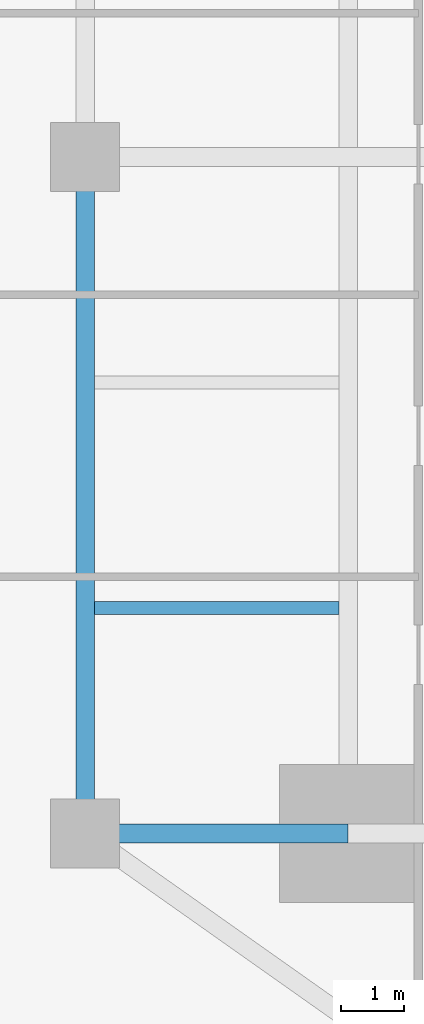
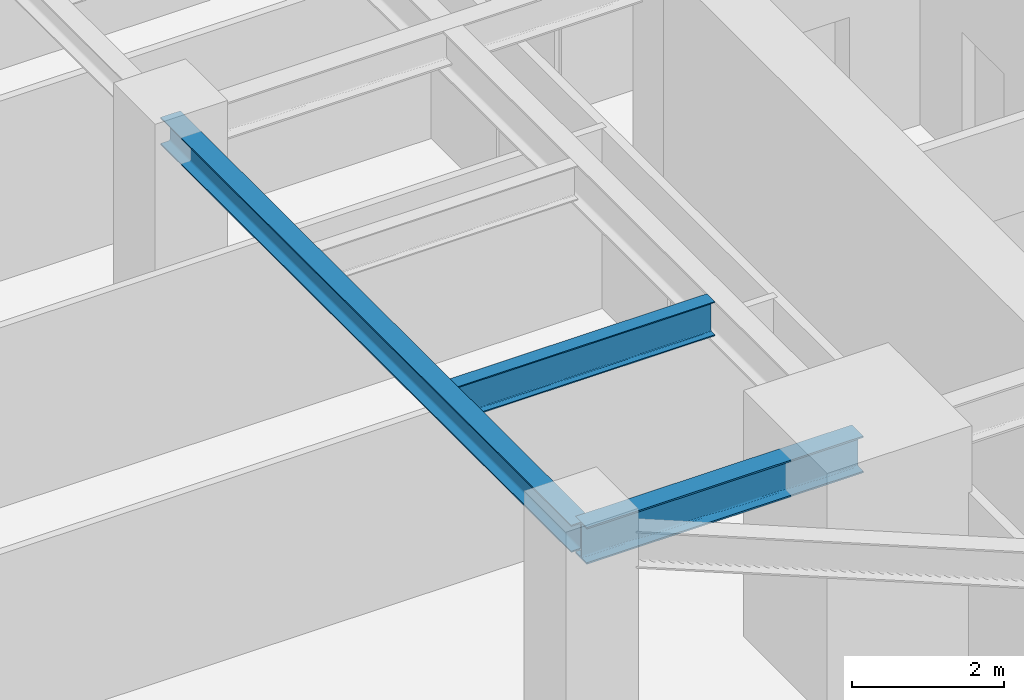
# One storey, part 7 of 29: 3 beams.
"""IFC4 building model written with IfcOpenShell, lengths in metres."""

from ifc_helpers import new_model, si_unit, direction, frame, origin, origin_2d, place, context, subcontext, project, spatial, i_section, extrude, source, transform, mapped, material, material_profile, profile_set, type_object, type_shapes, element, save


model = new_model("IFC4")

# Units and contexts
model_context = context("Model", 3, precision=1e-05, world=origin(), true_north=direction((0.0, 1.0)))
body_context = subcontext(model_context, "Body", "Model", "MODEL_VIEW")
ifc_project = project(units=[si_unit("LENGTHUNIT", "METRE"), si_unit("AREAUNIT", "SQUARE_METRE"), si_unit("VOLUMEUNIT", "CUBIC_METRE"), si_unit("PLANEANGLEUNIT", "RADIAN"), si_unit("MASSUNIT", "GRAM", prefix="KILO")], contexts=[model_context])

# Site, building, storey
site_placement = place(None, origin())
site = spatial("IfcSite", under=ifc_project, at=site_placement, CompositionType="ELEMENT")
building_placement = place(site_placement, origin())
building = spatial("IfcBuilding", under=site, at=building_placement, Name="Krantzveldt Concourse Tower", CompositionType="ELEMENT")
storey_placement = place(building_placement, frame((0.0, 0.0, 76.35009765625)))
storey = spatial("IfcBuildingStorey", under=building, at=storey_placement, Name="L18", CompositionType="ELEMENT", Elevation=76.35009765625)

# Beams
ifc_material = material(Name="Steel S355JR", Category="steel")
ifc_material_profile_1 = material_profile(ifc_material, i_section(OverallWidth=0.300048828125, OverallDepth=0.43994140625, WebThickness=0.011474609375, FlangeThickness=0.02099609375, FilletRadius=0.027099609375, at=origin_2d()), Name="Steel S355JR", Category="steel")
ifc_profile_set_1 = profile_set([ifc_material_profile_1], Name="Steel S355JR - HEA 450")
beam_type_1 = type_object("IfcBeamType", Name="BM-SP-HEA450", PredefinedType="SPANDREL", material=ifc_profile_set_1)
shared_shape_1 = source(origin(), body_context, "Body", "SweptSolid", [
    extrude(i_section(OverallWidth=0.300048828125, OverallDepth=0.43994140625, WebThickness=0.011474609375, FlangeThickness=0.02099609375, FilletRadius=0.027099609375, at=origin_2d()), origin(), (0.0, 0.0, 1.0), 10.800048828125),
])
type_shapes(beam_type_1, [shared_shape_1])
beam_1_placement = place(storey_placement, frame((21.0, 15.89990234375, 3.369873046875), z_axis=(0.0, 1.0, 0.0), x_axis=(-1.0, 0.0, 0.0)))
element("IfcBeam", 1, at=beam_1_placement, inside=storey, type_object=beam_type_1, Name="L18 Tower Girder SP-R01", PredefinedType="SPANDREL", context=body_context, shape_type="MappedRepresentation", body=[
    mapped(shared_shape_1, transform((0.0, 0.0, 0.0), x_axis=(1.0, 0.0, 0.0), y_axis=(0.0, 1.0, 0.0), z_axis=(0.0, 0.0, 1.0), scale=1.0)),
])
ifc_material_profile_2 = material_profile(ifc_material, i_section(OverallWidth=0.300048828125, OverallDepth=0.590087890625, WebThickness=0.012939453125, FlangeThickness=0.02490234375, FilletRadius=0.027099609375, at=origin_2d()), Name="Steel S355JR", Category="steel")
ifc_profile_set_2 = profile_set([ifc_material_profile_2], Name="Steel S355JR - HEA 600")
beam_type_2 = type_object("IfcBeamType", Name="BM-B-HEA600", PredefinedType="BEAM", material=ifc_profile_set_2)
shared_shape_2 = source(origin(), body_context, "Body", "SweptSolid", [
    extrude(i_section(OverallWidth=0.300048828125, OverallDepth=0.590087890625, WebThickness=0.012939453125, FlangeThickness=0.02490234375, FilletRadius=0.027099609375, at=origin_2d()), origin(), (0.0, 0.0, 1.0), 4.199951171875),
])
type_shapes(beam_type_2, [shared_shape_2])
beam_2_placement = place(storey_placement, frame((21.0, 15.89990234375, 3.294921875), z_axis=(1.0, 0.0, 0.0), x_axis=(0.0, 1.0, 0.0)))
element("IfcBeam", 2, at=beam_2_placement, inside=storey, type_object=beam_type_2, Name="L18 Tower Girder BR-RL1", PredefinedType="BEAM", context=body_context, shape_type="MappedRepresentation", body=[
    mapped(shared_shape_2, transform((0.0, 0.0, 0.0), x_axis=(1.0, 0.0, 0.0), y_axis=(0.0, 1.0, 0.0), z_axis=(0.0, 0.0, 1.0), scale=1.0)),
])
ifc_material_profile_3 = material_profile(ifc_material, i_section(OverallWidth=0.2099609375, OverallDepth=0.550048828125, WebThickness=0.010986328125, FlangeThickness=0.01708984375, FilletRadius=0.02392578125, at=origin_2d()), Name="Steel S355JR", Category="steel")
ifc_profile_set_3 = profile_set([ifc_material_profile_3], Name="Steel S355JR - IPE 550")
beam_type_3 = type_object("IfcBeamType", Name="BM-J-IPE550", PredefinedType="JOIST", material=ifc_profile_set_3)
shared_shape_3 = source(origin(), body_context, "Body", "SweptSolid", [
    extrude(i_section(OverallWidth=0.2099609375, OverallDepth=0.550048828125, WebThickness=0.010986328125, FlangeThickness=0.01708984375, FilletRadius=0.02392578125, at=origin_2d()), origin(), (0.0, 0.0, 1.0), 3.900146484375),
])
type_shapes(beam_type_3, [shared_shape_3])
beam_3_placement = place(storey_placement, frame((21.14990234375, 19.5, 3.31494140625), z_axis=(1.0, 0.0, 0.0), x_axis=(0.0, 1.0, 0.0)))
element("IfcBeam", 3, at=beam_3_placement, inside=storey, type_object=beam_type_3, Name="L18 Secondary Floor Joist JW-1", PredefinedType="JOIST", context=body_context, shape_type="MappedRepresentation", body=[
    mapped(shared_shape_3, transform((0.0, 0.0, 0.0), x_axis=(1.0, 0.0, 0.0), y_axis=(0.0, 1.0, 0.0), z_axis=(0.0, 0.0, 1.0), scale=1.0)),
])

save(model, "model.ifc")
